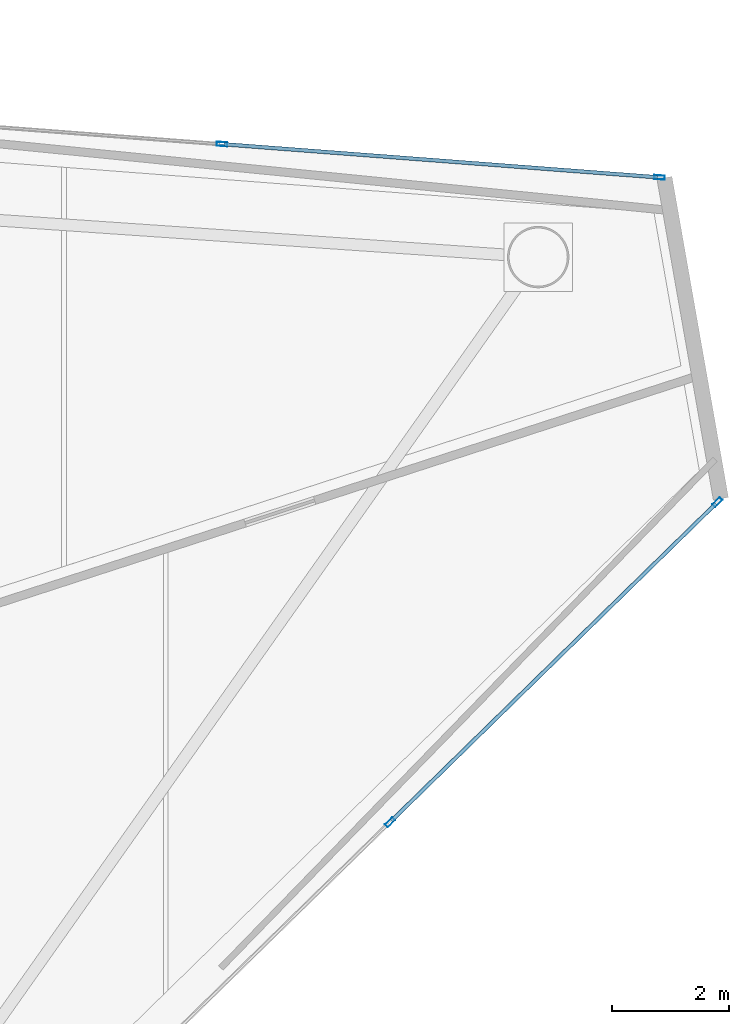
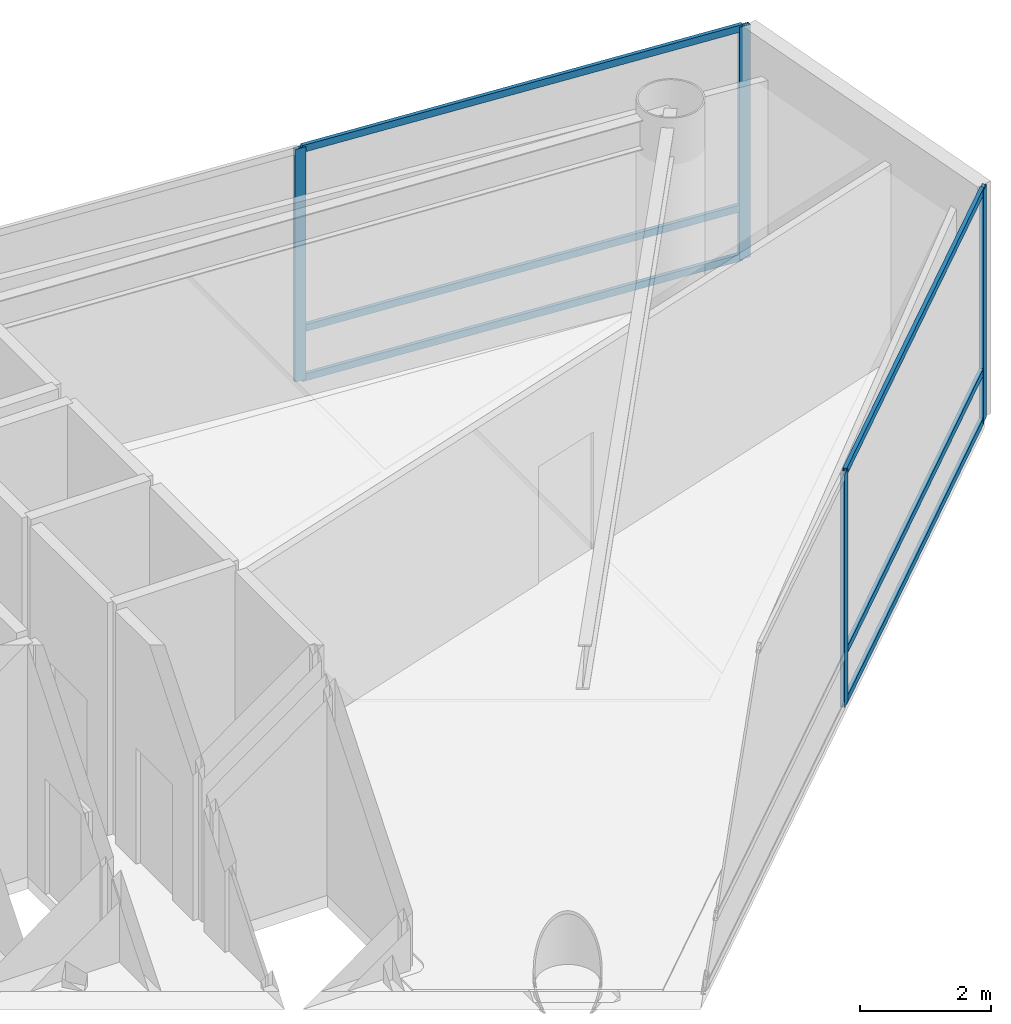
# One storey, part 15 of 21: 10 members, 2 elements without a shape of their own.
"""IFC4 building model written with IfcOpenShell, lengths in metres."""

from ifc_helpers import new_model, si_unit, direction, frame, origin, origin_2d, place, context, subcontext, project, spatial, hollow_rectangle, extrude, material, layer, layer_set, material_profile, profile_set, type_object, element, aggregate, save


model = new_model("IFC4")

# Units and contexts
model_context = context("Model", 3, precision=1e-05, world=origin(), true_north=direction((0.0, 1.0)))
body_context = subcontext(model_context, "Body", "Model", "MODEL_VIEW")
ifc_project = project(units=[si_unit("LENGTHUNIT", "METRE"), si_unit("AREAUNIT", "SQUARE_METRE"), si_unit("VOLUMEUNIT", "CUBIC_METRE"), si_unit("PLANEANGLEUNIT", "RADIAN"), si_unit("MASSUNIT", "GRAM", prefix="KILO")], contexts=[model_context])

# Site, building, storey
site_placement = place(None, origin())
site = spatial("IfcSite", under=ifc_project, at=site_placement, CompositionType="ELEMENT")
building_placement = place(site_placement, origin())
building = spatial("IfcBuilding", under=site, at=building_placement, Name="Qianvela Tower", CompositionType="ELEMENT")
storey_placement = place(building_placement, frame((0.0, 0.0, 234.5)))
storey = spatial("IfcBuildingStorey", under=building, at=storey_placement, Name="L60", CompositionType="ELEMENT", Elevation=234.5)

# Curtain wall, members
ifc_material_1 = material(Name="Anodised Architectural Aluminium and Low-E Glass", Category="aluminium")
ifc_layer = layer(ifc_material_1, 0.18994140625)
ifc_layer_set = layer_set([ifc_layer], Name="Anodised Architectural Aluminium and Low-E Glass")
curtain_wall_type = type_object("IfcCurtainWallType", Name="CW-SKYLOBBY", PredefinedType="USERDEFINED", material=ifc_layer_set)
curtain_wall_1_placement = place(storey_placement, origin())
curtain_wall_1 = element("IfcCurtainWall", 1, at=curtain_wall_1_placement, inside=storey, type_object=curtain_wall_type, Name="L60 CW-SKYLOBBY Curtain Wall 02A", ObjectType="CURTAIN_WALL_SYSTEM", PredefinedType="USERDEFINED")
ifc_material_2 = material(Name="Anodised Architectural Aluminium 6063-T6", Category="aluminium")
ifc_material_profile_1 = material_profile(ifc_material_2, hollow_rectangle(XDim=0.070068359375, YDim=0.179931640625, WallThickness=0.0048828125, at=origin_2d()), Name="ALU-MULL-70x180")
ifc_profile_set_1 = profile_set([ifc_material_profile_1], Name="Anodised Architectural Aluminium 6063-T6")
member_type_1 = type_object("IfcMemberType", Name="CW-SKYLOBBY-MULL", PredefinedType="MULLION", material=ifc_profile_set_1)
member_1_placement = place(storey_placement, frame((57.405517578125, 35.967041015625, 0.0), z_axis=(0.0, 0.0, 1.0), x_axis=(-0.075899290983, -0.997115488611, 0.0)))
member_1 = element("IfcMember", 2, at=member_1_placement, type_object=member_type_1, Name="CW-7 mullion 1", PredefinedType="MULLION", context=body_context, shape_type="SweptSolid", body=[
    extrude(hollow_rectangle(XDim=0.070068359375, YDim=0.179931640625, WallThickness=0.0048828125, at=origin_2d()), origin(), (0.0, 0.0, 1.0), 4.320068359375),
])
member_2_placement = place(storey_placement, frame((49.927001953125, 36.536376953125, 0.0), z_axis=(0.0, 0.0, 1.0), x_axis=(-0.075899290983, -0.997115488611, 0.0)))
member_2 = element("IfcMember", 3, at=member_2_placement, type_object=member_type_1, Name="CW-7 mullion 2", PredefinedType="MULLION", context=body_context, shape_type="SweptSolid", body=[
    extrude(hollow_rectangle(XDim=0.070068359375, YDim=0.179931640625, WallThickness=0.0048828125, at=origin_2d()), origin(), (0.0, 0.0, 1.0), 4.320068359375),
])

curtain_wall_2_placement = place(storey_placement, origin())
curtain_wall_2 = element("IfcCurtainWall", 4, at=curtain_wall_2_placement, inside=storey, type_object=curtain_wall_type, Name="L60 CW-SKYLOBBY Curtain Wall 06C", ObjectType="CURTAIN_WALL_SYSTEM", PredefinedType="USERDEFINED")
member_3_placement = place(storey_placement, frame((52.7998046875, 24.9462890625, 0.0), z_axis=(0.0, 0.0, 1.0), x_axis=(-0.69907729967, 0.715046102769, 0.0)))
member_3 = element("IfcMember", 5, at=member_3_placement, type_object=member_type_1, Name="CW-7 mullion 2", PredefinedType="MULLION", context=body_context, shape_type="SweptSolid", body=[
    extrude(hollow_rectangle(XDim=0.070068359375, YDim=0.179931640625, WallThickness=0.0048828125, at=origin_2d()), origin(), (0.0, 0.0, 1.0), 4.320068359375),
])
member_4_placement = place(storey_placement, frame((58.394287109375, 30.416015625, 0.0), z_axis=(0.0, 0.0, 1.0), x_axis=(-0.69907729967, 0.715046102769, 0.0)))
member_4 = element("IfcMember", 6, at=member_4_placement, type_object=member_type_1, Name="CW-7 mullion 3", PredefinedType="MULLION", context=body_context, shape_type="SweptSolid", body=[
    extrude(hollow_rectangle(XDim=0.070068359375, YDim=0.179931640625, WallThickness=0.0048828125, at=origin_2d()), origin(), (0.0, 0.0, 1.0), 4.320068359375),
])

# Member
ifc_material_3 = material(Name="Anodised Architectural Aluminium 6063-T6", Category="aluminium")
ifc_material_profile_2 = material_profile(ifc_material_3, hollow_rectangle(XDim=0.06494140625, YDim=0.1298828125, WallThickness=0.00439453125, at=origin_2d()), Name="ALU-TRAN-65x130")
ifc_profile_set_2 = profile_set([ifc_material_profile_2], Name="Anodised Architectural Aluminium 6063-T6")
member_type_2 = type_object("IfcMemberType", Name="CW-SKYLOBBY-TRAN", PredefinedType="USERDEFINED", material=ifc_profile_set_2)
member_5_placement = place(storey_placement, frame((57.37060546875, 35.9697265625, 0.032470703125), z_axis=(-0.997115246959, 0.07590246558, 0.0), x_axis=(-0.07590246558, -0.997115246959, 0.0)))
member_5 = element("IfcMember", 7, at=member_5_placement, type_object=member_type_2, Name="CW-7 transom 1.1", ObjectType="TRANSOM", PredefinedType="USERDEFINED", context=body_context, shape_type="SweptSolid", body=[
    extrude(hollow_rectangle(XDim=0.06494140625, YDim=0.1298828125, WallThickness=0.00439453125, at=origin_2d()), origin(), (0.0, 0.0, 1.0), 7.43017578125),
])

member_6_placement = place(storey_placement, frame((57.37060546875, 35.9697265625, 0.949951171875), z_axis=(-0.997115246959, 0.07590246558, 0.0), x_axis=(-0.07590246558, -0.997115246959, 0.0)))
member_6 = element("IfcMember", 8, at=member_6_placement, type_object=member_type_2, Name="CW-7 transom 1.2", ObjectType="TRANSOM", PredefinedType="USERDEFINED", context=body_context, shape_type="SweptSolid", body=[
    extrude(hollow_rectangle(XDim=0.06494140625, YDim=0.1298828125, WallThickness=0.00439453125, at=origin_2d()), origin(), (0.0, 0.0, 1.0), 7.43017578125),
])

member_7_placement = place(storey_placement, frame((57.37060546875, 35.9697265625, 4.28759765625), z_axis=(-0.997115246959, 0.07590246558, 0.0), x_axis=(-0.07590246558, -0.997115246959, 0.0)))
member_7 = element("IfcMember", 9, at=member_7_placement, type_object=member_type_2, Name="CW-7 transom 1.3", ObjectType="TRANSOM", PredefinedType="USERDEFINED", context=body_context, shape_type="SweptSolid", body=[
    extrude(hollow_rectangle(XDim=0.06494140625, YDim=0.1298828125, WallThickness=0.00439453125, at=origin_2d()), origin(), (0.0, 0.0, 1.0), 7.43017578125),
])

aggregate(curtain_wall_1, [member_1, member_2, member_5, member_6, member_7])

member_8_placement = place(storey_placement, frame((52.82470703125, 24.970703125, 0.032470703125), z_axis=(0.715043392231, 0.699080072114, 0.0), x_axis=(-0.699080072114, 0.715043392231, 0.0)))
member_8 = element("IfcMember", 10, at=member_8_placement, type_object=member_type_2, Name="CW-7 transom 2.1", ObjectType="TRANSOM", PredefinedType="USERDEFINED", context=body_context, shape_type="SweptSolid", body=[
    extrude(hollow_rectangle(XDim=0.06494140625, YDim=0.1298828125, WallThickness=0.00439453125, at=origin_2d()), origin(), (0.0, 0.0, 1.0), 7.75390625),
])

member_9_placement = place(storey_placement, frame((52.82470703125, 24.970703125, 0.949951171875), z_axis=(0.715043392231, 0.699080072114, 0.0), x_axis=(-0.699080072114, 0.715043392231, 0.0)))
member_9 = element("IfcMember", 11, at=member_9_placement, type_object=member_type_2, Name="CW-7 transom 2.2", ObjectType="TRANSOM", PredefinedType="USERDEFINED", context=body_context, shape_type="SweptSolid", body=[
    extrude(hollow_rectangle(XDim=0.06494140625, YDim=0.1298828125, WallThickness=0.00439453125, at=origin_2d()), origin(), (0.0, 0.0, 1.0), 7.75390625),
])

member_10_placement = place(storey_placement, frame((52.82470703125, 24.970703125, 4.28759765625), z_axis=(0.715043392231, 0.699080072114, 0.0), x_axis=(-0.699080072114, 0.715043392231, 0.0)))
member_10 = element("IfcMember", 12, at=member_10_placement, type_object=member_type_2, Name="CW-7 transom 2.3", ObjectType="TRANSOM", PredefinedType="USERDEFINED", context=body_context, shape_type="SweptSolid", body=[
    extrude(hollow_rectangle(XDim=0.06494140625, YDim=0.1298828125, WallThickness=0.00439453125, at=origin_2d()), origin(), (0.0, 0.0, 1.0), 7.75390625),
])

aggregate(curtain_wall_2, [member_3, member_4, member_8, member_9, member_10])

save(model, "model.ifc")
